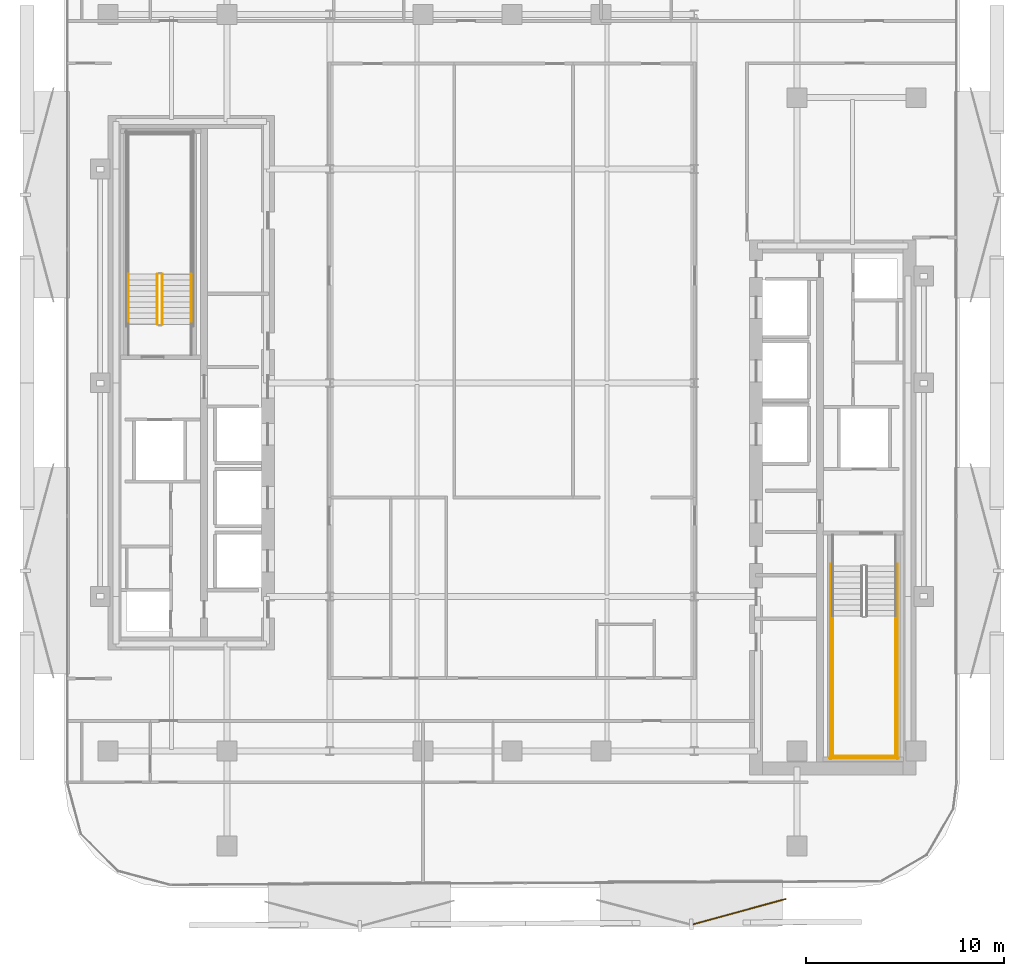
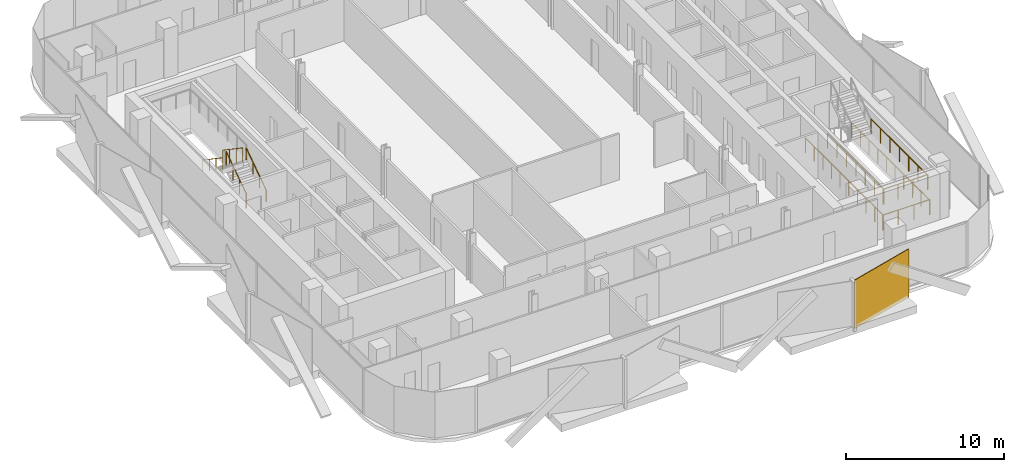
# One storey, part 13 of 16: 10 railings, 1 covering.
"""IFC4 building model written with IfcOpenShell, lengths in metres."""

from ifc_helpers import new_model, si_unit, direction, frame, origin, origin_2d, place, context, subcontext, project, spatial, rectangle, circle, extrude, material, layer, layer_set, type_object, element, save


model = new_model("IFC4")

# Units and contexts
model_context = context("Model", 3, precision=1e-05, world=origin(), true_north=direction((0.0, 1.0)))
body_context = subcontext(model_context, "Body", "Model", "MODEL_VIEW")
ifc_project = project(units=[si_unit("LENGTHUNIT", "METRE"), si_unit("AREAUNIT", "SQUARE_METRE"), si_unit("VOLUMEUNIT", "CUBIC_METRE"), si_unit("PLANEANGLEUNIT", "RADIAN"), si_unit("MASSUNIT", "GRAM", prefix="KILO")], contexts=[model_context])

# Site, building, storey
site_placement = place(None, origin())
site = spatial("IfcSite", under=ifc_project, at=site_placement, CompositionType="ELEMENT")
building_placement = place(site_placement, origin())
building = spatial("IfcBuilding", under=site, at=building_placement, Name="Khairoan Windgate Tower", CompositionType="ELEMENT")
storey_placement = place(building_placement, frame((0.0, 0.0, 184.0)))
storey = spatial("IfcBuildingStorey", under=building, at=storey_placement, Name="L42", CompositionType="ELEMENT", Elevation=184.0)

# Covering
ifc_material_1 = material(Name="Anodised Bronze Aluminium 6063-T6", Category="aluminium")
ifc_layer = layer(ifc_material_1, 0.054931640625, Name="Anodised Bronze Aluminium 6063-T6")
ifc_layer_set = layer_set([ifc_layer], Name="Anodised Bronze Aluminium 6063-T6")
covering_type = type_object("IfcCoveringType", Name="Perforated Bronze-Ceramic Folded Solar Screen Cladding BSC-1", PredefinedType="CLADDING", material=ifc_layer_set)
covering_placement = place(storey_placement, frame((11.498779296875, -26.708984375, -0.10009765625), z_axis=(0.0, 0.0, 1.0), x_axis=(-0.964649468762, -0.263536339841, 0.0)))
element("IfcCovering", 1, at=covering_placement, inside=storey, type_object=covering_type, Name="L42 Folded Bronze Solar Screen Facet 273L", PredefinedType="CLADDING", context=body_context, shape_type="SweptSolid", body=[
    extrude(rectangle(XDim=4.861083984375, YDim=0.054931640625, at=origin_2d()), origin(), (0.0, 0.0, 1.0), 3.739990234375),
])

# Railings
ifc_material_2 = material(Name="Anodised Bronze Aluminium 6063-T6", Category="aluminium")
railing_type_1 = type_object("IfcRailingType", Name="Stair Wall Handrail SHR-900", PredefinedType="HANDRAIL", material=ifc_material_2)
railing_1_placement = place(storey_placement, frame((-16.199951171875, 2.9599609375, 0.18994140625)))
element("IfcRailing", 2, at=railing_1_placement, inside=storey, type_object=railing_type_1, Name="L42 ST2 stair handrail 1", PredefinedType="HANDRAIL", context=body_context, shape_type="SweptSolid", body=[
    extrude(circle(Radius=0.02392578125, at=origin_2d()), frame((0.0, 0.0, 0.8759765625), z_axis=(0.0, 0.827483756001, 0.561489655786), x_axis=(-1.0, 0.0, 0.0)), (0.0, 0.0, 1.0), 3.04541015625),
    extrude(circle(Radius=0.02099609375, at=origin_2d()), origin(), (0.0, 0.0, 1.0), 0.851806640625),
    extrude(circle(Radius=0.02099609375, at=origin_2d()), frame((0.0, 0.840087890625, 0.570068359375)), (0.0, 0.0, 1.0), 0.851806640625),
    extrude(circle(Radius=0.02099609375, at=origin_2d()), frame((0.0, 1.679931640625, 1.139892578125)), (0.0, 0.0, 1.0), 0.851806640625),
    extrude(circle(Radius=0.02099609375, at=origin_2d()), frame((0.0, 2.52001953125, 1.7099609375)), (0.0, 0.0, 1.0), 0.851806640625),
])
railing_2_placement = place(storey_placement, frame((-19.3701171875, 5.47998046875, 2.090087890625)))
element("IfcRailing", 3, at=railing_2_placement, inside=storey, type_object=railing_type_1, Name="L42 ST2 stair handrail 2", PredefinedType="HANDRAIL", context=body_context, shape_type="SweptSolid", body=[
    extrude(circle(Radius=0.02392578125, at=origin_2d()), frame((0.0, 0.0, 0.8759765625), z_axis=(0.0, -0.827483756001, 0.561489655786), x_axis=(1.0, 0.0, 0.0)), (0.0, 0.0, 1.0), 3.04541015625),
    extrude(circle(Radius=0.02099609375, at=origin_2d()), origin(), (0.0, 0.0, 1.0), 0.851806640625),
    extrude(circle(Radius=0.02099609375, at=origin_2d()), frame((0.0, -0.840087890625, 0.570068359375)), (0.0, 0.0, 1.0), 0.851806640625),
    extrude(circle(Radius=0.02099609375, at=origin_2d()), frame((0.0, -1.679931640625, 1.139892578125)), (0.0, 0.0, 1.0), 0.851806640625),
    extrude(circle(Radius=0.02099609375, at=origin_2d()), frame((0.0, -2.52001953125, 1.7099609375)), (0.0, 0.0, 1.0), 0.851806640625),
])
ifc_material_3 = material(Name="Steel S355", Category="steel")
railing_type_2 = type_object("IfcRailingType", Name="Stairwell Safety Guardrail SGR-1150", PredefinedType="GUARDRAIL", material=ifc_material_3)
for number, where, name in (
    (4, (16.199951171875, -11.780029296875, 1.89990234375), "L42 ST1 stair guard 3"),
    (5, (19.3701171875, -11.780029296875, 1.89990234375), "L42 ST1 stair guard 4"),
):
    element("IfcRailing", number, at=place(storey_placement, frame(where)), inside=storey, type_object=railing_type_2, Name=name, PredefinedType="GUARDRAIL", context=body_context, shape_type="SweptSolid", body=[
        extrude(circle(Radius=0.02392578125, at=origin_2d()), frame((0.0, 0.0, 1.1259765625), z_axis=(0.0, -1.0, 0.0), x_axis=(1.0, 0.0, 0.0)), (0.0, 0.0, 1.0), 7.119873046875),
        extrude(circle(Radius=0.02099609375, at=origin_2d()), origin(), (0.0, 0.0, 1.0), 1.101806640625),
        extrude(circle(Radius=0.02099609375, at=origin_2d()), frame((0.0, -1.1865234375, 0.0)), (0.0, 0.0, 1.0), 1.101806640625),
        extrude(circle(Radius=0.02099609375, at=origin_2d()), frame((0.0, -2.373291015625, 0.0)), (0.0, 0.0, 1.0), 1.101806640625),
        extrude(circle(Radius=0.02099609375, at=origin_2d()), frame((0.0, -3.56005859375, 0.0)), (0.0, 0.0, 1.0), 1.101806640625),
        extrude(circle(Radius=0.02099609375, at=origin_2d()), frame((0.0, -4.74658203125, 0.0)), (0.0, 0.0, 1.0), 1.101806640625),
        extrude(circle(Radius=0.02099609375, at=origin_2d()), frame((0.0, -5.93310546875, 0.0)), (0.0, 0.0, 1.0), 1.101806640625),
        extrude(circle(Radius=0.02099609375, at=origin_2d()), frame((0.0, -7.119873046875, 0.0)), (0.0, 0.0, 1.0), 1.101806640625),
    ])
railing_3_placement = place(storey_placement, frame((16.14990234375, -18.85009765625, 1.89990234375)))
element("IfcRailing", 6, at=railing_3_placement, inside=storey, type_object=railing_type_2, Name="L42 ST1 stair guard 5", PredefinedType="GUARDRAIL", context=body_context, shape_type="SweptSolid", body=[
    extrude(circle(Radius=0.02392578125, at=origin_2d()), frame((0.0, 0.0, 1.1259765625), z_axis=(1.0, 0.0, 0.0), x_axis=(0.0, 1.0, 0.0)), (0.0, 0.0, 1.0), 3.27001953125),
    extrude(circle(Radius=0.02099609375, at=origin_2d()), origin(), (0.0, 0.0, 1.0), 1.101806640625),
    extrude(circle(Radius=0.02099609375, at=origin_2d()), frame((1.090087890625, 0.0, 0.0)), (0.0, 0.0, 1.0), 1.101806640625),
    extrude(circle(Radius=0.02099609375, at=origin_2d()), frame((2.179931640625, 0.0, 0.0)), (0.0, 0.0, 1.0), 1.101806640625),
    extrude(circle(Radius=0.02099609375, at=origin_2d()), frame((3.27001953125, 0.0, 0.0)), (0.0, 0.0, 1.0), 1.101806640625),
])
for number, where, name in (
    (7, (16.10009765625, -9.159912109375, 0.0), "L42 ST1 stair guard 10"),
    (8, (19.469970703125, -9.159912109375, 0.0), "L42 ST1 stair guard 11"),
):
    element("IfcRailing", number, at=place(storey_placement, frame(where)), inside=storey, type_object=railing_type_2, Name=name, PredefinedType="GUARDRAIL", context=body_context, shape_type="SweptSolid", body=[
        extrude(circle(Radius=0.02392578125, at=origin_2d()), frame((0.0, 0.0, 1.1259765625), z_axis=(0.0, -1.0, 0.0), x_axis=(1.0, 0.0, 0.0)), (0.0, 0.0, 1.0), 9.840087890625),
        extrude(circle(Radius=0.02099609375, at=origin_2d()), origin(), (0.0, 0.0, 1.0), 1.101806640625),
        extrude(circle(Radius=0.02099609375, at=origin_2d()), frame((0.0, -1.09326171875, 0.0)), (0.0, 0.0, 1.0), 1.101806640625),
        extrude(circle(Radius=0.02099609375, at=origin_2d()), frame((0.0, -2.186767578125, 0.0)), (0.0, 0.0, 1.0), 1.101806640625),
        extrude(circle(Radius=0.02099609375, at=origin_2d()), frame((0.0, -3.280029296875, 0.0)), (0.0, 0.0, 1.0), 1.101806640625),
        extrude(circle(Radius=0.02099609375, at=origin_2d()), frame((0.0, -4.373291015625, 0.0)), (0.0, 0.0, 1.0), 1.101806640625),
        extrude(circle(Radius=0.02099609375, at=origin_2d()), frame((0.0, -5.466796875, 0.0)), (0.0, 0.0, 1.0), 1.101806640625),
        extrude(circle(Radius=0.02099609375, at=origin_2d()), frame((0.0, -6.56005859375, 0.0)), (0.0, 0.0, 1.0), 1.101806640625),
        extrude(circle(Radius=0.02099609375, at=origin_2d()), frame((0.0, -7.6533203125, 0.0)), (0.0, 0.0, 1.0), 1.101806640625),
        extrude(circle(Radius=0.02099609375, at=origin_2d()), frame((0.0, -8.746826171875, 0.0)), (0.0, 0.0, 1.0), 1.101806640625),
        extrude(circle(Radius=0.02099609375, at=origin_2d()), frame((0.0, -9.840087890625, 0.0)), (0.0, 0.0, 1.0), 1.101806640625),
    ])
railing_4_placement = place(storey_placement, frame((16.050048828125, -18.949951171875, 0.0)))
element("IfcRailing", 9, at=railing_4_placement, inside=storey, type_object=railing_type_2, Name="L42 ST1 stair guard 12", PredefinedType="GUARDRAIL", context=body_context, shape_type="SweptSolid", body=[
    extrude(circle(Radius=0.02392578125, at=origin_2d()), frame((0.0, 0.0, 1.1259765625), z_axis=(1.0, 0.0, 0.0), x_axis=(0.0, 1.0, 0.0)), (0.0, 0.0, 1.0), 3.469970703125),
    extrude(circle(Radius=0.02099609375, at=origin_2d()), origin(), (0.0, 0.0, 1.0), 1.101806640625),
    extrude(circle(Radius=0.02099609375, at=origin_2d()), frame((1.15673828125, 0.0, 0.0)), (0.0, 0.0, 1.0), 1.101806640625),
    extrude(circle(Radius=0.02099609375, at=origin_2d()), frame((2.313232421875, 0.0, 0.0)), (0.0, 0.0, 1.0), 1.101806640625),
    extrude(circle(Radius=0.02099609375, at=origin_2d()), frame((3.469970703125, 0.0, 0.0)), (0.0, 0.0, 1.0), 1.101806640625),
])
railing_5_placement = place(storey_placement, frame((-17.659912109375, 2.9599609375, 0.18994140625)))
element("IfcRailing", 10, at=railing_5_placement, inside=storey, type_object=railing_type_2, Name="L42 ST2 stair guard 1", PredefinedType="GUARDRAIL", context=body_context, shape_type="SweptSolid", body=[
    extrude(circle(Radius=0.02392578125, at=origin_2d()), frame((0.0, 0.0, 1.1259765625), z_axis=(0.0, 0.827483756001, 0.561489655786), x_axis=(-1.0, 0.0, 0.0)), (0.0, 0.0, 1.0), 3.04541015625),
    extrude(circle(Radius=0.02099609375, at=origin_2d()), origin(), (0.0, 0.0, 1.0), 1.101806640625),
    extrude(circle(Radius=0.02099609375, at=origin_2d()), frame((0.0, 0.840087890625, 0.570068359375)), (0.0, 0.0, 1.0), 1.101806640625),
    extrude(circle(Radius=0.02099609375, at=origin_2d()), frame((0.0, 1.679931640625, 1.139892578125)), (0.0, 0.0, 1.0), 1.101806640625),
    extrude(circle(Radius=0.02099609375, at=origin_2d()), frame((0.0, 2.52001953125, 1.7099609375)), (0.0, 0.0, 1.0), 1.101806640625),
])
railing_6_placement = place(storey_placement, frame((-17.909912109375, 5.47998046875, 2.090087890625)))
element("IfcRailing", 11, at=railing_6_placement, inside=storey, type_object=railing_type_2, Name="L42 ST2 stair guard 6", PredefinedType="GUARDRAIL", context=body_context, shape_type="SweptSolid", body=[
    extrude(circle(Radius=0.02392578125, at=origin_2d()), frame((0.0, 0.0, 1.1259765625), z_axis=(0.0, -0.827483756001, 0.561489655786), x_axis=(1.0, 0.0, 0.0)), (0.0, 0.0, 1.0), 3.04541015625),
    extrude(circle(Radius=0.02099609375, at=origin_2d()), origin(), (0.0, 0.0, 1.0), 1.101806640625),
    extrude(circle(Radius=0.02099609375, at=origin_2d()), frame((0.0, -0.840087890625, 0.570068359375)), (0.0, 0.0, 1.0), 1.101806640625),
    extrude(circle(Radius=0.02099609375, at=origin_2d()), frame((0.0, -1.679931640625, 1.139892578125)), (0.0, 0.0, 1.0), 1.101806640625),
    extrude(circle(Radius=0.02099609375, at=origin_2d()), frame((0.0, -2.52001953125, 1.7099609375)), (0.0, 0.0, 1.0), 1.101806640625),
])

save(model, "model.ifc")
